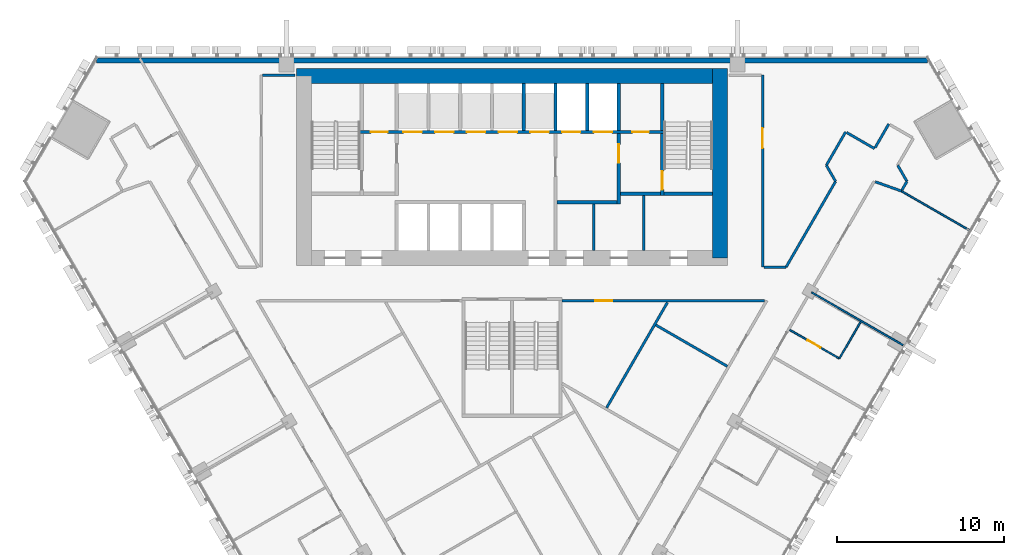
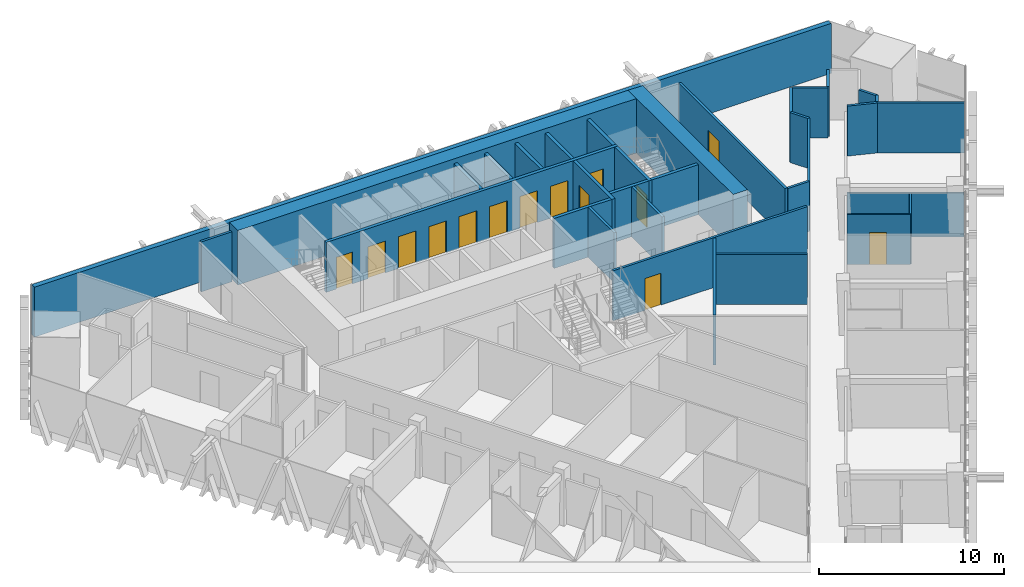
# One storey, part 11 of 15: 34 walls, 14 doors, 14 openings.
"""IFC4 building model written with IfcOpenShell, lengths in metres."""

from ifc_helpers import new_model, si_unit, direction, frame, frame_2d, origin, place, context, subcontext, project, spatial, rectangle, extrude, material, layer, layer_set, type_object, element, fill, save


model = new_model("IFC4")

# Units and contexts
model_context = context("Model", 3, precision=1e-05, world=origin(), true_north=direction((0.0, 1.0)))
body_context = subcontext(model_context, "Body", "Model", "MODEL_VIEW")
ifc_project = project(units=[si_unit("LENGTHUNIT", "METRE"), si_unit("AREAUNIT", "SQUARE_METRE"), si_unit("VOLUMEUNIT", "CUBIC_METRE"), si_unit("PLANEANGLEUNIT", "RADIAN"), si_unit("MASSUNIT", "GRAM", prefix="KILO")], contexts=[model_context])

# Site, building, storey
site_placement = place(None, origin())
site = spatial("IfcSite", under=ifc_project, at=site_placement, CompositionType="ELEMENT")
building_placement = place(site_placement, origin())
building = spatial("IfcBuilding", under=site, at=building_placement, Name="Altiplano Prism Tower", CompositionType="ELEMENT")
storey_placement = place(building_placement, frame((0.0, 0.0, 91.800048828125)))
storey = spatial("IfcBuildingStorey", under=building, at=storey_placement, Name="L23", CompositionType="ELEMENT", Elevation=91.800048828125)

# Walls
ifc_material_1 = material(Name="Concrete C70/85", Category="concrete")
ifc_layer_1 = layer(ifc_material_1, 0.89990234375)
ifc_layer_set_1 = layer_set([ifc_layer_1], Name="Concrete C70/85")
wall_type_1 = type_object("IfcWallType", Name="Core wall 900", PredefinedType="SHEAR", material=ifc_layer_set_1)
wall_1_placement = place(storey_placement, frame((97.449951171875, 92.949951171875, 0.0), z_axis=(0.0, 0.0, 1.0), x_axis=(0.0, 1.0, 0.0)))
element("IfcWall", 1, at=wall_1_placement, inside=storey, type_object=wall_type_1, Name="Core wall E L23", PredefinedType="SHEAR", context=body_context, shape_type="SweptSolid", body=[
    extrude(rectangle(XDim=11.35009765625, YDim=0.89990234375, at=frame_2d((5.675048828125, 0.0))), origin(), (0.0, 0.0, 1.0), 3.599853515625),
])
wall_2_placement = place(storey_placement, frame((97.449951171875, 103.85009765625, 0.0), z_axis=(0.0, 0.0, 1.0), x_axis=(-1.0, 0.0, 0.0)))
element("IfcWall", 2, at=wall_2_placement, inside=storey, type_object=wall_type_1, Name="Core wall N L23", PredefinedType="SHEAR", context=body_context, shape_type="SweptSolid", body=[
    extrude(rectangle(XDim=25.349853515625, YDim=0.89990234375, at=frame_2d((12.6748046875, 0.0))), origin(), (0.0, 0.0, 1.0), 3.599853515625),
])
ifc_material_2 = material(Name="Plasterboard on steel stud", Category="steel")
ifc_layer_2 = layer(ifc_material_2, 0.10009765625)
ifc_layer_set_2 = layer_set([ifc_layer_2], Name="Plasterboard on steel stud")
wall_type_2 = type_object("IfcWallType", Name="Partition 100 unit", PredefinedType="PARTITIONING", material=ifc_layer_set_2)
wall_3_placement = place(storey_placement, frame((105.87353515625, 89.141845703125, 0.0), z_axis=(0.0, 0.0, 1.0), x_axis=(-0.499990435942, -0.866030925526, 0.0)))
element("IfcWall", 3, at=wall_3_placement, inside=storey, type_object=wall_type_2, Name="Partition P02 L23 071", PredefinedType="PARTITIONING", context=body_context, shape_type="SweptSolid", body=[
    extrude(rectangle(XDim=2.5498046875, YDim=0.10009765625, at=frame_2d((1.27490234375, 0.0))), origin(), (0.0, 0.0, 1.0), 2.89990234375),
])

# Wall, opening, door
wall_4_placement = place(storey_placement, frame((104.5986328125, 86.93359375, 0.0), z_axis=(0.0, 0.0, 1.0), x_axis=(-0.866032454348, 0.499987787867, 0.0)))
wall_4 = element("IfcWall", 4, at=wall_4_placement, inside=storey, type_object=wall_type_2, Name="Partition P02 L23 072", PredefinedType="PARTITIONING", context=body_context, shape_type="SweptSolid", body=[
    extrude(rectangle(XDim=3.4248046875, YDim=0.10009765625, at=frame_2d((1.71240234375, 0.0))), origin(), (0.0, 0.0, 1.0), 3.300048828125),
])
opening_1_placement = place(wall_4_placement, frame((1.300048828125, 0.0, 0.0)))
opening_1 = element("IfcOpeningElement", 5, at=opening_1_placement, cuts=wall_4, Name="Opening D0873", PredefinedType="OPENING", context=body_context, shape_type="SweptSolid", body=[
    extrude(rectangle(XDim=0.89990234375, YDim=2.10009765625, at=frame_2d((0.449951171875, 1.050048828125))), frame((0.0, 0.060546875, 0.0), z_axis=(0.0, -1.0, 0.0), x_axis=(1.0, 0.0, 0.0)), (0.0, 0.0, 1.0), 0.12109375),
])
ifc_material_3 = material(Name="Timber", Category="wood")
door_type_1 = type_object("IfcDoorType", Name="Accessible ensuite door 900 x 2100", OperationType="NOTDEFINED", PredefinedType="NOTDEFINED", material=ifc_material_3)
door_1_placement = place(opening_1_placement, origin())
door_1 = element("IfcDoor", 6, at=door_1_placement, inside=storey, type_object=door_type_1, Name="Door D0873", OperationType="SINGLE_SWING_RIGHT", OverallHeight=2.10009765625, OverallWidth=0.89990234375, PredefinedType="NOTDEFINED", context=body_context, shape_type="SweptSolid", body=[
    extrude(rectangle(XDim=0.89990234375, YDim=2.10009765625, at=frame_2d((0.449951171875, 1.050048828125))), frame((0.0, 0.02490234375, 0.0), z_axis=(0.0, -1.0, 0.0), x_axis=(1.0, 0.0, 0.0)), (0.0, 0.0, 1.0), 0.050048828125),
])
fill(opening_1, door_1)

# Walls
ifc_layer_3 = layer(ifc_material_2, 0.10009765625)
ifc_layer_set_3 = layer_set([ifc_layer_3], Name="Plasterboard on steel stud")
wall_type_3 = type_object("IfcWallType", Name="Partition 100 wet", PredefinedType="PARTITIONING", material=ifc_layer_set_3)
wall_5_placement = place(storey_placement, frame((108.41015625, 87.735107421875, 0.0), z_axis=(0.0, 0.0, 1.0), x_axis=(-0.866015887322, 0.500016482634, 0.0)))
element("IfcWall", 7, at=wall_5_placement, inside=storey, type_object=wall_type_3, Name="Partition P03 L23 073", PredefinedType="PARTITIONING", context=body_context, shape_type="SweptSolid", body=[
    extrude(rectangle(XDim=6.324951171875, YDim=0.10009765625, at=frame_2d((3.16259765625, 0.0))), origin(), (0.0, 0.0, 1.0), 2.89990234375),
])
wall_6_placement = place(storey_placement, frame((112.3974609375, 94.600830078125, 0.0), z_axis=(0.0, 0.0, 1.0), x_axis=(-0.866028828302, 0.499994068514, 0.0)))
element("IfcWall", 8, at=wall_6_placement, inside=storey, type_object=wall_type_3, Name="Partition P03 L23 074", PredefinedType="PARTITIONING", context=body_context, shape_type="SweptSolid", body=[
    extrude(rectangle(XDim=4.72021484375, YDim=0.10009765625, at=frame_2d((2.360107421875, 0.0))), origin(), (0.0, 0.0, 1.0), 3.300048828125),
])
ifc_layer_4 = layer(ifc_material_2, 0.14990234375)
ifc_layer_set_4 = layer_set([ifc_layer_4], Name="Plasterboard on steel stud")
wall_type_4 = type_object("IfcWallType", Name="Partition 150 corridor", PredefinedType="PARTITIONING", material=ifc_layer_set_4)
wall_7_placement = place(storey_placement, frame((106.750244140625, 97.514892578125, 0.0), z_axis=(0.0, 0.0, 1.0), x_axis=(0.942304690634, -0.334756433858, 0.0)))
element("IfcWall", 9, at=wall_7_placement, inside=storey, type_object=wall_type_4, Name="Partition P06 L23 017", PredefinedType="PARTITIONING", context=body_context, shape_type="SweptSolid", body=[
    extrude(rectangle(XDim=1.65478515625, YDim=0.14990234375, at=frame_2d((0.827392578125, 0.0))), origin(), (0.0, 0.0, 1.0), 3.300048828125),
])
wall_8_placement = place(storey_placement, frame((108.346435546875, 97.02490234375, 0.0), z_axis=(0.0, 0.0, 1.0), x_axis=(0.499983247966, 0.86603507536, 0.0)))
element("IfcWall", 10, at=wall_8_placement, inside=storey, type_object=wall_type_4, Name="Partition P06 L23 018", PredefinedType="PARTITIONING", context=body_context, shape_type="SweptSolid", body=[
    extrude(rectangle(XDim=0.59423828125, YDim=0.14990234375, at=frame_2d((0.297119140625, 0.0))), origin(), (0.0, 0.0, 1.0), 3.300048828125),
])
wall_9_placement = place(storey_placement, frame((108.6435546875, 97.53955078125, 0.0), z_axis=(0.0, 0.0, 1.0), x_axis=(-0.499951133605, 0.866053614973, 0.0)))
element("IfcWall", 11, at=wall_9_placement, inside=storey, type_object=wall_type_4, Name="Partition P06 L23 019", PredefinedType="PARTITIONING", context=body_context, shape_type="SweptSolid", body=[
    extrude(rectangle(XDim=1.10888671875, YDim=0.14990234375, at=frame_2d((0.554443359375, 0.0))), origin(), (0.0, 0.0, 1.0), 3.300048828125),
])
wall_10_placement = place(storey_placement, frame((107.553466796875, 100.97216796875, 0.0), z_axis=(0.0, 0.0, 1.0), x_axis=(-0.500017246033, -0.866015446554, 0.0)))
element("IfcWall", 12, at=wall_10_placement, inside=storey, type_object=wall_type_4, Name="Partition P06 L23 022", PredefinedType="PARTITIONING", context=body_context, shape_type="SweptSolid", body=[
    extrude(rectangle(XDim=1.625, YDim=0.14990234375, at=frame_2d((0.8125, 0.0))), origin(), (0.0, 0.0, 1.0), 3.300048828125),
])
wall_11_placement = place(storey_placement, frame((106.703369140625, 99.5, 0.0), z_axis=(0.0, 0.0, 1.0), x_axis=(-0.866033512162, 0.499985955615, 0.0)))
element("IfcWall", 13, at=wall_11_placement, inside=storey, type_object=wall_type_4, Name="Partition P06 L23 023", PredefinedType="PARTITIONING", context=body_context, shape_type="SweptSolid", body=[
    extrude(rectangle(XDim=1.9248046875, YDim=0.14990234375, at=frame_2d((0.96240234375, 0.0))), origin(), (0.0, 0.0, 1.0), 3.300048828125),
])
wall_12_placement = place(storey_placement, frame((104.971435546875, 100.5, 0.0), z_axis=(0.0, 0.0, 1.0), x_axis=(-0.500027479704, -0.866009537788, 0.0)))
element("IfcWall", 14, at=wall_12_placement, inside=storey, type_object=wall_type_4, Name="Partition P06 L23 024", PredefinedType="PARTITIONING", context=body_context, shape_type="SweptSolid", body=[
    extrude(rectangle(XDim=2.309326171875, YDim=0.14990234375, at=frame_2d((1.15478515625, 0.0))), origin(), (0.0, 0.0, 1.0), 3.300048828125),
])
wall_13_placement = place(storey_placement, frame((103.816650390625, 98.5, 0.0), z_axis=(0.0, 0.0, 1.0), x_axis=(0.50011622646, -0.865958290007, 0.0)))
element("IfcWall", 15, at=wall_13_placement, inside=storey, type_object=wall_type_4, Name="Partition P06 L23 025", PredefinedType="PARTITIONING", context=body_context, shape_type="SweptSolid", body=[
    extrude(rectangle(XDim=1.109130859375, YDim=0.14990234375, at=frame_2d((0.5546875, 0.0))), origin(), (0.0, 0.0, 1.0), 3.300048828125),
])
wall_14_placement = place(storey_placement, frame((104.371337890625, 97.53955078125, 0.0), z_axis=(0.0, 0.0, 1.0), x_axis=(-0.500019194352, -0.866014321637, 0.0)))
element("IfcWall", 16, at=wall_14_placement, inside=storey, type_object=wall_type_4, Name="Partition P06 L23 026", PredefinedType="PARTITIONING", context=body_context, shape_type="SweptSolid", body=[
    extrude(rectangle(XDim=5.934814453125, YDim=0.14990234375, at=frame_2d((2.96728515625, 0.0))), origin(), (0.0, 0.0, 1.0), 3.300048828125),
])
wall_15_placement = place(storey_placement, frame((101.40380859375, 92.39990234375, 0.0), z_axis=(0.0, 0.0, 1.0), x_axis=(-1.0, 0.0, 0.0)))
element("IfcWall", 17, at=wall_15_placement, inside=storey, type_object=wall_type_4, Name="Partition P06 L23 027", PredefinedType="PARTITIONING", context=body_context, shape_type="SweptSolid", body=[
    extrude(rectangle(XDim=1.328857421875, YDim=0.14990234375, at=frame_2d((0.66455078125, 0.0))), origin(), (0.0, 0.0, 1.0), 3.300048828125),
])

# Wall, opening, door
wall_16_placement = place(storey_placement, frame((100.0, 92.39990234375, 0.0), z_axis=(0.0, 0.0, 1.0), x_axis=(0.0, 1.0, 0.0)))
wall_16 = element("IfcWall", 18, at=wall_16_placement, inside=storey, type_object=wall_type_4, Name="Partition P06 L23 028", PredefinedType="PARTITIONING", context=body_context, shape_type="SweptSolid", body=[
    extrude(rectangle(XDim=11.5, YDim=0.14990234375, at=frame_2d((5.75, 0.0))), origin(), (0.0, 0.0, 1.0), 3.300048828125),
])
opening_2_placement = place(wall_16_placement, frame((7.131103515625, 0.0, 0.0)))
opening_2 = element("IfcOpeningElement", 19, at=opening_2_placement, cuts=wall_16, Name="Opening D0875", PredefinedType="OPENING", context=body_context, shape_type="SweptSolid", body=[
    extrude(rectangle(XDim=1.199951171875, YDim=2.10009765625, at=frame_2d((0.60009765625, 1.050048828125))), frame((0.0, 0.08544921875, 0.0), z_axis=(0.0, -1.0, 0.0), x_axis=(1.0, 0.0, 0.0)), (0.0, 0.0, 1.0), 0.1708984375),
])
door_type_2 = type_object("IfcDoorType", Name="Shared room door 1200 x 2100", OperationType="NOTDEFINED", PredefinedType="NOTDEFINED", material=ifc_material_3)
door_2_placement = place(opening_2_placement, origin())
door_2 = element("IfcDoor", 20, at=door_2_placement, inside=storey, type_object=door_type_2, Name="Door D0875", OperationType="SINGLE_SWING_RIGHT", OverallHeight=2.10009765625, OverallWidth=1.199951171875, PredefinedType="NOTDEFINED", context=body_context, shape_type="SweptSolid", body=[
    extrude(rectangle(XDim=1.199951171875, YDim=2.10009765625, at=frame_2d((0.60009765625, 1.050048828125))), frame((0.0, 0.02490234375, 0.0), z_axis=(0.0, -1.0, 0.0), x_axis=(1.0, 0.0, 0.0)), (0.0, 0.0, 1.0), 0.050048828125),
])
fill(opening_2, door_2)

# Wall
wall_17_placement = place(storey_placement, frame((72.0, 103.89990234375, 0.0), z_axis=(0.0, 0.0, 1.0), x_axis=(-1.0, 0.0, 0.0)))
element("IfcWall", 21, at=wall_17_placement, inside=storey, type_object=wall_type_4, Name="Partition P06 L23 030", PredefinedType="PARTITIONING", context=body_context, shape_type="SweptSolid", body=[
    extrude(rectangle(XDim=1.925048828125, YDim=0.14990234375, at=frame_2d((0.96240234375, 0.0))), origin(), (0.0, 0.0, 1.0), 3.300048828125),
])

# Wall, opening, door
wall_18_placement = place(storey_placement, frame((88.0, 90.39990234375, 0.0), z_axis=(0.0, 0.0, 1.0), x_axis=(1.0, 0.0, 0.0)))
wall_18 = element("IfcWall", 22, at=wall_18_placement, inside=storey, type_object=wall_type_4, Name="Partition P06 L23 033", PredefinedType="PARTITIONING", context=body_context, shape_type="SweptSolid", body=[
    extrude(rectangle(XDim=12.119384765625, YDim=0.14990234375, at=frame_2d((6.0595703125, 0.0))), origin(), (0.0, 0.0, 1.0), 3.300048828125),
])
opening_3_placement = place(wall_18_placement, frame((1.988037109375, 0.0, 0.0)))
opening_3 = element("IfcOpeningElement", 23, at=opening_3_placement, cuts=wall_18, Name="Opening D0883", PredefinedType="OPENING", context=body_context, shape_type="SweptSolid", body=[
    extrude(rectangle(XDim=1.0, YDim=2.10009765625, at=frame_2d((0.5, 1.050048828125))), frame((0.0, 0.08544921875, 0.0), z_axis=(0.0, -1.0, 0.0), x_axis=(1.0, 0.0, 0.0)), (0.0, 0.0, 1.0), 0.1708984375),
])
door_type_3 = type_object("IfcDoorType", Name="Store door 1000 x 2100", OperationType="NOTDEFINED", PredefinedType="NOTDEFINED", material=ifc_material_3)
door_3_placement = place(opening_3_placement, origin())
door_3 = element("IfcDoor", 24, at=door_3_placement, inside=storey, type_object=door_type_3, Name="Door D0883", OperationType="SINGLE_SWING_LEFT", OverallHeight=2.10009765625, OverallWidth=1.0, PredefinedType="NOTDEFINED", context=body_context, shape_type="SweptSolid", body=[
    extrude(rectangle(XDim=1.0, YDim=2.10009765625, at=frame_2d((0.5, 1.050048828125))), frame((0.0, 0.02490234375, 0.0), z_axis=(0.0, -1.0, 0.0), x_axis=(1.0, 0.0, 0.0)), (0.0, 0.0, 1.0), 0.050048828125),
])
fill(opening_3, door_3)

# Walls
ifc_layer_5 = layer(ifc_material_2, 0.14990234375)
ifc_layer_set_5 = layer_set([ifc_layer_5], Name="Plasterboard on steel stud")
wall_type_5 = type_object("IfcWallType", Name="Partition 150 party", PredefinedType="PARTITIONING", material=ifc_layer_set_5)
wall_19_placement = place(storey_placement, frame((93.6103515625, 88.939697265625, 0.0), z_axis=(0.0, 0.0, 1.0), x_axis=(0.866016188482, -0.500015961032, 0.0)))
element("IfcWall", 25, at=wall_19_placement, inside=storey, type_object=wall_type_5, Name="Partition P01 L23 037", PredefinedType="PARTITIONING", context=body_context, shape_type="SweptSolid", body=[
    extrude(rectangle(XDim=4.944091796875, YDim=0.14990234375, at=frame_2d((2.47216796875, 0.0))), origin(), (0.0, 0.0, 1.0), 3.300048828125),
])
wall_20_placement = place(storey_placement, frame((94.3017578125, 90.28759765625, 0.0), z_axis=(0.0, 0.0, 1.0), x_axis=(-0.499979033513, -0.866037508453, 0.0)))
element("IfcWall", 26, at=wall_20_placement, inside=storey, type_object=wall_type_5, Name="Partition P01 L23 084", PredefinedType="PARTITIONING", context=body_context, shape_type="SweptSolid", body=[
    extrude(rectangle(XDim=7.275634765625, YDim=0.14990234375, at=frame_2d((3.6376953125, 0.0))), origin(), (0.0, 0.0, 1.0), 3.300048828125),
])
ifc_material_4 = material(Name="Fire-rated gypsum board partition")
ifc_layer_6 = layer(ifc_material_4, 0.14990234375)
ifc_layer_set_6 = layer_set([ifc_layer_6], Name="Fire-rated gypsum board partition")
wall_type_6 = type_object("IfcWallType", Name="Room partition 150", PredefinedType="PARTITIONING", material=ifc_layer_set_6)
wall_21_placement = place(storey_placement, frame((89.89990234375, 93.39990234375, 0.0), z_axis=(0.0, 0.0, 1.0), x_axis=(0.0, 1.0, 0.0)))
element("IfcWall", 27, at=wall_21_placement, inside=storey, type_object=wall_type_6, Name="Room partition L23", PredefinedType="PARTITIONING", context=body_context, shape_type="SweptSolid", body=[
    extrude(rectangle(XDim=2.800048828125, YDim=0.14990234375, at=frame_2d((1.39990234375, 0.0))), origin(), (0.0, 0.0, 1.0), 3.300048828125),
])
wall_22_placement = place(storey_placement, frame((92.89990234375, 93.39990234375, 0.0), z_axis=(0.0, 0.0, 1.0), x_axis=(0.0, 1.0, 0.0)))
element("IfcWall", 28, at=wall_22_placement, inside=storey, type_object=wall_type_6, Name="Room partition L23", PredefinedType="PARTITIONING", context=body_context, shape_type="SweptSolid", body=[
    extrude(rectangle(XDim=3.300048828125, YDim=0.14990234375, at=frame_2d((1.64990234375, 0.0))), origin(), (0.0, 0.0, 1.0), 3.300048828125),
])
ifc_material_5 = material(Name="Concrete C60/75", Category="concrete")
ifc_layer_7 = layer(ifc_material_5, 0.199951171875)
ifc_layer_set_7 = layer_set([ifc_layer_7], Name="Concrete C60/75")
wall_type_7 = type_object("IfcWallType", Name="Shaft wall 200", PredefinedType="SOLIDWALL", material=ifc_layer_set_7)
for number, where, z_axis, x_axis, name in (
    (29, (85.699951171875, 100.60009765625, 0.0), (0.0, 0.0, 1.0), (0.0, 1.0, 0.0), "Shaft wall L23"),
    (30, (87.60009765625, 100.60009765625, 0.0), (0.0, 0.0, 1.0), (0.0, 1.0, 0.0), "Shaft wall L23"),
    (31, (89.5, 100.60009765625, 0.0), (0.0, 0.0, 1.0), (0.0, 1.0, 0.0), "Shaft wall L23"),
    (32, (91.39990234375, 100.60009765625, 0.0), (0.0, 0.0, 1.0), (0.0, 1.0, 0.0), "Shaft wall L23"),
):
    element("IfcWall", number, at=place(storey_placement, frame(where, z_axis=z_axis, x_axis=x_axis)), inside=storey, type_object=wall_type_7, Name=name, PredefinedType="SOLIDWALL", context=body_context, shape_type="SweptSolid", body=[
        extrude(rectangle(XDim=2.7998046875, YDim=0.199951171875, at=frame_2d((1.39990234375, 0.0))), origin(), (0.0, 0.0, 1.0), 3.300048828125),
    ])

# Wall, opening, door
ifc_layer_8 = layer(ifc_material_5, 0.199951171875)
ifc_layer_set_8 = layer_set([ifc_layer_8], Name="Concrete C60/75")
wall_type_8 = type_object("IfcWallType", Name="Stair wall 200", PredefinedType="SOLIDWALL", material=ifc_layer_set_8)
wall_23_placement = place(storey_placement, frame((94.0, 96.699951171875, 0.0), z_axis=(0.0, 0.0, 1.0), x_axis=(0.0, 1.0, 0.0)))
wall_23 = element("IfcWall", 33, at=wall_23_placement, inside=storey, type_object=wall_type_8, Name="Stair wall L23", PredefinedType="SOLIDWALL", context=body_context, shape_type="SweptSolid", body=[
    extrude(rectangle(XDim=3.699951171875, YDim=0.199951171875, at=frame_2d((1.85009765625, 0.0))), origin(), (0.0, 0.0, 1.0), 3.300048828125),
])
opening_4_placement = place(wall_23_placement, frame((0.35009765625, 0.0, 0.0)))
opening_4 = element("IfcOpeningElement", 34, at=opening_4_placement, cuts=wall_23, Name="Opening D2896", PredefinedType="OPENING", context=body_context, shape_type="SweptSolid", body=[
    extrude(rectangle(XDim=1.10009765625, YDim=2.10009765625, at=frame_2d((0.550048828125, 1.050048828125))), frame((0.0, 0.1103515625, 0.0), z_axis=(0.0, -1.0, 0.0), x_axis=(1.0, 0.0, 0.0)), (0.0, 0.0, 1.0), 0.220947265625),
])
ifc_material_6 = material(Name="Fire-rated steel door", Category="steel")
door_type_4 = type_object("IfcDoorType", Name="Stair fire door 1100 x 2100", OperationType="NOTDEFINED", PredefinedType="NOTDEFINED", material=ifc_material_6)
door_4_placement = place(opening_4_placement, origin())
door_4 = element("IfcDoor", 35, at=door_4_placement, inside=storey, type_object=door_type_4, Name="Stair fire door D2896", OperationType="SINGLE_SWING_LEFT", OverallHeight=2.10009765625, OverallWidth=1.10009765625, PredefinedType="NOTDEFINED", context=body_context, shape_type="SweptSolid", body=[
    extrude(rectangle(XDim=1.10009765625, YDim=2.10009765625, at=frame_2d((0.550048828125, 1.050048828125))), frame((0.0, 0.02490234375, 0.0), z_axis=(0.0, -1.0, 0.0), x_axis=(1.0, 0.0, 0.0)), (0.0, 0.0, 1.0), 0.050048828125),
])
fill(opening_4, door_4)

# Wall
wall_24_placement = place(storey_placement, frame((94.10009765625, 96.800048828125, 0.0), z_axis=(0.0, 0.0, 1.0), x_axis=(1.0, 0.0, 0.0)))
element("IfcWall", 36, at=wall_24_placement, inside=storey, type_object=wall_type_8, Name="Stair wall L23", PredefinedType="SOLIDWALL", context=body_context, shape_type="SweptSolid", body=[
    extrude(rectangle(XDim=2.89990234375, YDim=0.199951171875, at=frame_2d((1.449951171875, 0.0))), origin(), (0.0, 0.0, 1.0), 3.300048828125),
])

# Wall, openings, doors
wall_25_placement = place(storey_placement, frame((75.89990234375, 100.5, 0.0), z_axis=(0.0, 0.0, 1.0), x_axis=(1.0, 0.0, 0.0)))
wall_25 = element("IfcWall", 37, at=wall_25_placement, inside=storey, type_object=wall_type_8, Name="Stair wall L23", PredefinedType="SOLIDWALL", context=body_context, shape_type="SweptSolid", body=[
    extrude(rectangle(XDim=18.2001953125, YDim=0.199951171875, at=frame_2d((9.10009765625, 0.0))), origin(), (0.0, 0.0, 1.0), 3.300048828125),
])
opening_5_placement = place(wall_25_placement, frame((2.60009765625, 0.0, 0.0)))
opening_5 = element("IfcOpeningElement", 38, at=opening_5_placement, cuts=wall_25, Name="Opening LD-LL1-L23", PredefinedType="OPENING", context=body_context, shape_type="SweptSolid", body=[
    extrude(rectangle(XDim=1.10009765625, YDim=2.10009765625, at=frame_2d((0.550048828125, 1.050048828125))), frame((0.0, 0.1103515625, 0.0), z_axis=(0.0, -1.0, 0.0), x_axis=(1.0, 0.0, 0.0)), (0.0, 0.0, 1.0), 0.220947265625),
])
opening_6_placement = place(wall_25_placement, frame((4.5, 0.0, 0.0)))
opening_6 = element("IfcOpeningElement", 39, at=opening_6_placement, cuts=wall_25, Name="Opening LD-LL2-L23", PredefinedType="OPENING", context=body_context, shape_type="SweptSolid", body=[
    extrude(rectangle(XDim=1.10009765625, YDim=2.10009765625, at=frame_2d((0.550048828125, 1.050048828125))), frame((0.0, 0.1103515625, 0.0), z_axis=(0.0, -1.0, 0.0), x_axis=(1.0, 0.0, 0.0)), (0.0, 0.0, 1.0), 0.220947265625),
])
opening_7_placement = place(wall_25_placement, frame((6.39990234375, 0.0, 0.0)))
opening_7 = element("IfcOpeningElement", 40, at=opening_7_placement, cuts=wall_25, Name="Opening LD-LL3-L23", PredefinedType="OPENING", context=body_context, shape_type="SweptSolid", body=[
    extrude(rectangle(XDim=1.10009765625, YDim=2.10009765625, at=frame_2d((0.550048828125, 1.050048828125))), frame((0.0, 0.1103515625, 0.0), z_axis=(0.0, -1.0, 0.0), x_axis=(1.0, 0.0, 0.0)), (0.0, 0.0, 1.0), 0.220947265625),
])
opening_8_placement = place(wall_25_placement, frame((8.300048828125, 0.0, 0.0)))
opening_8 = element("IfcOpeningElement", 41, at=opening_8_placement, cuts=wall_25, Name="Opening LD-LL4-L23", PredefinedType="OPENING", context=body_context, shape_type="SweptSolid", body=[
    extrude(rectangle(XDim=1.10009765625, YDim=2.10009765625, at=frame_2d((0.550048828125, 1.050048828125))), frame((0.0, 0.1103515625, 0.0), z_axis=(0.0, -1.0, 0.0), x_axis=(1.0, 0.0, 0.0)), (0.0, 0.0, 1.0), 0.220947265625),
])
opening_9_placement = place(wall_25_placement, frame((10.199951171875, 0.0, 0.0)))
opening_9 = element("IfcOpeningElement", 42, at=opening_9_placement, cuts=wall_25, Name="Opening LD-LL5-L23", PredefinedType="OPENING", context=body_context, shape_type="SweptSolid", body=[
    extrude(rectangle(XDim=1.10009765625, YDim=2.10009765625, at=frame_2d((0.550048828125, 1.050048828125))), frame((0.0, 0.1103515625, 0.0), z_axis=(0.0, -1.0, 0.0), x_axis=(1.0, 0.0, 0.0)), (0.0, 0.0, 1.0), 0.220947265625),
])
opening_10_placement = place(wall_25_placement, frame((12.10009765625, 0.0, 0.0)))
opening_10 = element("IfcOpeningElement", 43, at=opening_10_placement, cuts=wall_25, Name="Opening LD-FF1-L23", PredefinedType="OPENING", context=body_context, shape_type="SweptSolid", body=[
    extrude(rectangle(XDim=1.10009765625, YDim=2.10009765625, at=frame_2d((0.550048828125, 1.050048828125))), frame((0.0, 0.1103515625, 0.0), z_axis=(0.0, -1.0, 0.0), x_axis=(1.0, 0.0, 0.0)), (0.0, 0.0, 1.0), 0.220947265625),
])
opening_11_placement = place(wall_25_placement, frame((14.0, 0.0, 0.0)))
opening_11 = element("IfcOpeningElement", 44, at=opening_11_placement, cuts=wall_25, Name="Opening LD-FF2-L23", PredefinedType="OPENING", context=body_context, shape_type="SweptSolid", body=[
    extrude(rectangle(XDim=1.10009765625, YDim=2.10009765625, at=frame_2d((0.550048828125, 1.050048828125))), frame((0.0, 0.1103515625, 0.0), z_axis=(0.0, -1.0, 0.0), x_axis=(1.0, 0.0, 0.0)), (0.0, 0.0, 1.0), 0.220947265625),
])
opening_12_placement = place(wall_25_placement, frame((0.64990234375, 0.0, 0.0)))
opening_12 = element("IfcOpeningElement", 45, at=opening_12_placement, cuts=wall_25, Name="Opening D2903", PredefinedType="OPENING", context=body_context, shape_type="SweptSolid", body=[
    extrude(rectangle(XDim=1.0, YDim=2.10009765625, at=frame_2d((0.5, 1.050048828125))), frame((0.0, 0.1103515625, 0.0), z_axis=(0.0, -1.0, 0.0), x_axis=(1.0, 0.0, 0.0)), (0.0, 0.0, 1.0), 0.220947265625),
])
opening_13_placement = place(wall_25_placement, frame((16.300048828125, 0.0, 0.0)))
opening_13 = element("IfcOpeningElement", 46, at=opening_13_placement, cuts=wall_25, Name="Opening D2904", PredefinedType="OPENING", context=body_context, shape_type="SweptSolid", body=[
    extrude(rectangle(XDim=1.0, YDim=2.10009765625, at=frame_2d((0.5, 1.050048828125))), frame((0.0, 0.1103515625, 0.0), z_axis=(0.0, -1.0, 0.0), x_axis=(1.0, 0.0, 0.0)), (0.0, 0.0, 1.0), 0.220947265625),
])
door_type_5 = type_object("IfcDoorType", Name="Core room door 1000 x 2100", OperationType="NOTDEFINED", PredefinedType="NOTDEFINED", material=ifc_material_6)
door_5_placement = place(opening_12_placement, origin())
door_5 = element("IfcDoor", 47, at=door_5_placement, inside=storey, type_object=door_type_5, Name="Core room door D2903", OperationType="SINGLE_SWING_LEFT", OverallHeight=2.10009765625, OverallWidth=1.0, PredefinedType="NOTDEFINED", context=body_context, shape_type="SweptSolid", body=[
    extrude(rectangle(XDim=1.0, YDim=2.10009765625, at=frame_2d((0.5, 1.050048828125))), frame((0.0, 0.02490234375, 0.0), z_axis=(0.0, -1.0, 0.0), x_axis=(1.0, 0.0, 0.0)), (0.0, 0.0, 1.0), 0.050048828125),
])
fill(opening_12, door_5)
door_6_placement = place(opening_13_placement, origin())
door_6 = element("IfcDoor", 48, at=door_6_placement, inside=storey, type_object=door_type_5, Name="Core room door D2904", OperationType="SINGLE_SWING_RIGHT", OverallHeight=2.10009765625, OverallWidth=1.0, PredefinedType="NOTDEFINED", context=body_context, shape_type="SweptSolid", body=[
    extrude(rectangle(XDim=1.0, YDim=2.10009765625, at=frame_2d((0.5, 1.050048828125))), frame((0.0, 0.02490234375, 0.0), z_axis=(0.0, -1.0, 0.0), x_axis=(1.0, 0.0, 0.0)), (0.0, 0.0, 1.0), 0.050048828125),
])
fill(opening_13, door_6)
ifc_material_7 = material(Name="Stainless steel landing door", Category="steel")
door_type_6 = type_object("IfcDoorType", Name="Landing door 1100 x 2100", OperationType="NOTDEFINED", PredefinedType="NOTDEFINED", material=ifc_material_7)
door_7_placement = place(opening_5_placement, origin())
door_7 = element("IfcDoor", 49, at=door_7_placement, inside=storey, type_object=door_type_6, Name="Landing doors LL1", OperationType="SLIDING_TO_RIGHT", OverallHeight=2.10009765625, OverallWidth=1.10009765625, PredefinedType="NOTDEFINED", context=body_context, shape_type="SweptSolid", body=[
    extrude(rectangle(XDim=1.10009765625, YDim=2.10009765625, at=frame_2d((0.550048828125, 1.050048828125))), frame((0.0, 0.02490234375, 0.0), z_axis=(0.0, -1.0, 0.0), x_axis=(1.0, 0.0, 0.0)), (0.0, 0.0, 1.0), 0.050048828125),
])
fill(opening_5, door_7)
door_8_placement = place(opening_6_placement, origin())
door_8 = element("IfcDoor", 50, at=door_8_placement, inside=storey, type_object=door_type_6, Name="Landing doors LL2", OperationType="SLIDING_TO_LEFT", OverallHeight=2.10009765625, OverallWidth=1.10009765625, PredefinedType="NOTDEFINED", context=body_context, shape_type="SweptSolid", body=[
    extrude(rectangle(XDim=1.10009765625, YDim=2.10009765625, at=frame_2d((0.550048828125, 1.050048828125))), frame((0.0, 0.02490234375, 0.0), z_axis=(0.0, -1.0, 0.0), x_axis=(1.0, 0.0, 0.0)), (0.0, 0.0, 1.0), 0.050048828125),
])
fill(opening_6, door_8)
door_9_placement = place(opening_7_placement, origin())
door_9 = element("IfcDoor", 51, at=door_9_placement, inside=storey, type_object=door_type_6, Name="Landing doors LL3", OperationType="SLIDING_TO_RIGHT", OverallHeight=2.10009765625, OverallWidth=1.10009765625, PredefinedType="NOTDEFINED", context=body_context, shape_type="SweptSolid", body=[
    extrude(rectangle(XDim=1.10009765625, YDim=2.10009765625, at=frame_2d((0.550048828125, 1.050048828125))), frame((0.0, 0.02490234375, 0.0), z_axis=(0.0, -1.0, 0.0), x_axis=(1.0, 0.0, 0.0)), (0.0, 0.0, 1.0), 0.050048828125),
])
fill(opening_7, door_9)
door_10_placement = place(opening_8_placement, origin())
door_10 = element("IfcDoor", 52, at=door_10_placement, inside=storey, type_object=door_type_6, Name="Landing doors LL4", OperationType="SLIDING_TO_LEFT", OverallHeight=2.10009765625, OverallWidth=1.10009765625, PredefinedType="NOTDEFINED", context=body_context, shape_type="SweptSolid", body=[
    extrude(rectangle(XDim=1.10009765625, YDim=2.10009765625, at=frame_2d((0.550048828125, 1.050048828125))), frame((0.0, 0.02490234375, 0.0), z_axis=(0.0, -1.0, 0.0), x_axis=(1.0, 0.0, 0.0)), (0.0, 0.0, 1.0), 0.050048828125),
])
fill(opening_8, door_10)
door_11_placement = place(opening_9_placement, origin())
door_11 = element("IfcDoor", 53, at=door_11_placement, inside=storey, type_object=door_type_6, Name="Landing doors LL5", OperationType="SLIDING_TO_RIGHT", OverallHeight=2.10009765625, OverallWidth=1.10009765625, PredefinedType="NOTDEFINED", context=body_context, shape_type="SweptSolid", body=[
    extrude(rectangle(XDim=1.10009765625, YDim=2.10009765625, at=frame_2d((0.550048828125, 1.050048828125))), frame((0.0, 0.02490234375, 0.0), z_axis=(0.0, -1.0, 0.0), x_axis=(1.0, 0.0, 0.0)), (0.0, 0.0, 1.0), 0.050048828125),
])
fill(opening_9, door_11)
door_12_placement = place(opening_10_placement, origin())
door_12 = element("IfcDoor", 54, at=door_12_placement, inside=storey, type_object=door_type_6, Name="Landing doors FF1", OperationType="SLIDING_TO_RIGHT", OverallHeight=2.10009765625, OverallWidth=1.10009765625, PredefinedType="NOTDEFINED", context=body_context, shape_type="SweptSolid", body=[
    extrude(rectangle(XDim=1.10009765625, YDim=2.10009765625, at=frame_2d((0.550048828125, 1.050048828125))), frame((0.0, 0.02490234375, 0.0), z_axis=(0.0, -1.0, 0.0), x_axis=(1.0, 0.0, 0.0)), (0.0, 0.0, 1.0), 0.050048828125),
])
fill(opening_10, door_12)
door_13_placement = place(opening_11_placement, origin())
door_13 = element("IfcDoor", 55, at=door_13_placement, inside=storey, type_object=door_type_6, Name="Landing doors FF2", OperationType="SLIDING_TO_LEFT", OverallHeight=2.10009765625, OverallWidth=1.10009765625, PredefinedType="NOTDEFINED", context=body_context, shape_type="SweptSolid", body=[
    extrude(rectangle(XDim=1.10009765625, YDim=2.10009765625, at=frame_2d((0.550048828125, 1.050048828125))), frame((0.0, 0.02490234375, 0.0), z_axis=(0.0, -1.0, 0.0), x_axis=(1.0, 0.0, 0.0)), (0.0, 0.0, 1.0), 0.050048828125),
])
fill(opening_11, door_13)

# Walls
wall_26_placement = place(storey_placement, frame((94.0, 100.60009765625, 0.0), z_axis=(0.0, 0.0, 1.0), x_axis=(0.0, 1.0, 0.0)))
element("IfcWall", 56, at=wall_26_placement, inside=storey, type_object=wall_type_8, Name="Stair wall L23", PredefinedType="SOLIDWALL", context=body_context, shape_type="SweptSolid", body=[
    extrude(rectangle(XDim=2.7998046875, YDim=0.199951171875, at=frame_2d((1.39990234375, 0.0))), origin(), (0.0, 0.0, 1.0), 3.300048828125),
])
ifc_material_8 = material(Name="Concrete C40", Category="concrete")
ifc_layer_9 = layer(ifc_material_8, 0.300048828125)
ifc_layer_set_9 = layer_set([ifc_layer_9], Name="Concrete C40")
wall_type_9 = type_object("IfcWallType", Name="Stone-clad external wall 300", PredefinedType="SOLIDWALL", material=ifc_layer_set_9)
wall_27_placement = place(storey_placement, frame((60.12109375, 104.7900390625, 0.0), z_axis=(0.0, 0.0, 1.0), x_axis=(1.0, 0.0, 0.0)))
element("IfcWall", 57, at=wall_27_placement, inside=storey, type_object=wall_type_9, Name="External wall north face L23", PredefinedType="SOLIDWALL", context=body_context, shape_type="SweptSolid", body=[
    extrude(rectangle(XDim=49.7578125, YDim=0.300048828125, at=frame_2d((24.87890625, 0.0))), origin(), (0.0, 0.0, 1.0), 3.300048828125),
])
ifc_layer_10 = layer(ifc_material_5, 0.199951171875)
ifc_layer_set_10 = layer_set([ifc_layer_10], Name="Concrete C60/75")
wall_type_10 = type_object("IfcWallType", Name="Vestibule wall 200", PredefinedType="PARTITIONING", material=ifc_layer_set_10)
wall_28_placement = place(storey_placement, frame((87.699951171875, 96.300048828125, 0.0), z_axis=(0.0, 0.0, 1.0), x_axis=(1.0, 0.0, 0.0)))
element("IfcWall", 58, at=wall_28_placement, inside=storey, type_object=wall_type_10, Name="Vestibule wall L23", PredefinedType="PARTITIONING", context=body_context, shape_type="SweptSolid", body=[
    extrude(rectangle(XDim=3.60009765625, YDim=0.199951171875, at=frame_2d((1.800048828125, 0.0))), origin(), (0.0, 0.0, 1.0), 3.300048828125),
])

# Wall, opening, door
wall_29_placement = place(storey_placement, frame((91.39990234375, 96.199951171875, 0.0), z_axis=(0.0, 0.0, 1.0), x_axis=(0.0, 1.0, 0.0)))
wall_29 = element("IfcWall", 59, at=wall_29_placement, inside=storey, type_object=wall_type_10, Name="Vestibule wall L23", PredefinedType="PARTITIONING", context=body_context, shape_type="SweptSolid", body=[
    extrude(rectangle(XDim=4.199951171875, YDim=0.199951171875, at=frame_2d((2.10009765625, 0.0))), origin(), (0.0, 0.0, 1.0), 3.300048828125),
])
opening_14_placement = place(wall_29_placement, frame((2.449951171875, 0.0, 0.0)))
opening_14 = element("IfcOpeningElement", 60, at=opening_14_placement, cuts=wall_29, Name="Opening D2899", PredefinedType="OPENING", context=body_context, shape_type="SweptSolid", body=[
    extrude(rectangle(XDim=1.10009765625, YDim=2.10009765625, at=frame_2d((0.550048828125, 1.050048828125))), frame((0.0, 0.1103515625, 0.0), z_axis=(0.0, -1.0, 0.0), x_axis=(1.0, 0.0, 0.0)), (0.0, 0.0, 1.0), 0.220947265625),
])
door_type_7 = type_object("IfcDoorType", Name="Vestibule fire door 1100 x 2100", OperationType="NOTDEFINED", PredefinedType="NOTDEFINED", material=ifc_material_6)
door_14_placement = place(opening_14_placement, origin())
door_14 = element("IfcDoor", 61, at=door_14_placement, inside=storey, type_object=door_type_7, Name="Vestibule fire door D2899", OperationType="SINGLE_SWING_LEFT", OverallHeight=2.10009765625, OverallWidth=1.10009765625, PredefinedType="NOTDEFINED", context=body_context, shape_type="SweptSolid", body=[
    extrude(rectangle(XDim=1.10009765625, YDim=2.10009765625, at=frame_2d((0.550048828125, 1.050048828125))), frame((0.0, 0.02490234375, 0.0), z_axis=(0.0, -1.0, 0.0), x_axis=(1.0, 0.0, 0.0)), (0.0, 0.0, 1.0), 0.050048828125),
])
fill(opening_14, door_14)

# Wall
wall_30_placement = place(storey_placement, frame((91.5, 96.800048828125, 0.0), z_axis=(0.0, 0.0, 1.0), x_axis=(1.0, 0.0, 0.0)))
element("IfcWall", 62, at=wall_30_placement, inside=storey, type_object=wall_type_10, Name="Vestibule wall L23", PredefinedType="PARTITIONING", context=body_context, shape_type="SweptSolid", body=[
    extrude(rectangle(XDim=2.39990234375, YDim=0.199951171875, at=frame_2d((1.199951171875, 0.0))), origin(), (0.0, 0.0, 1.0), 3.300048828125),
])

save(model, "model.ifc")
